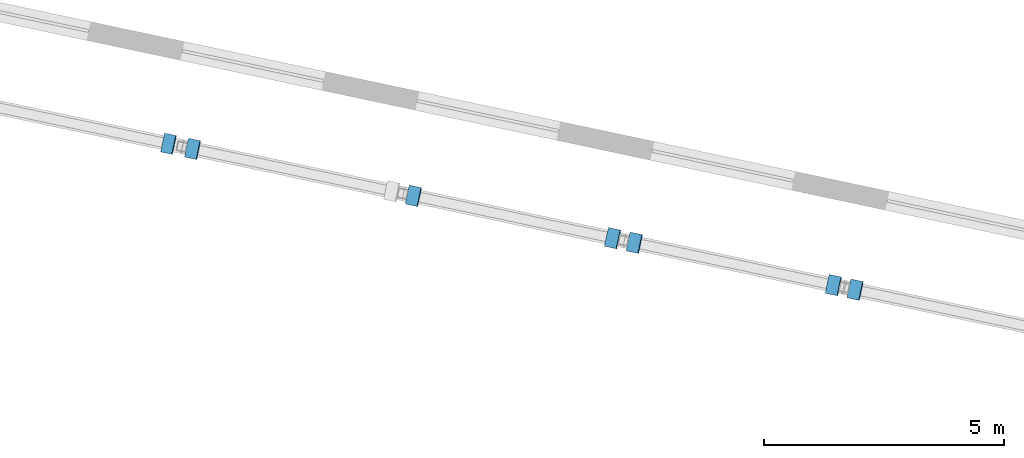
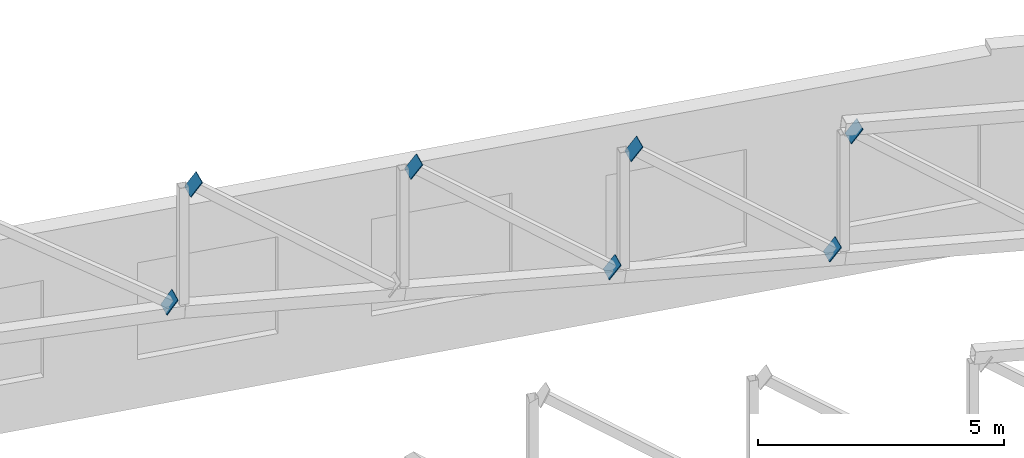
# One storey, part 164 of 182: 7 discrete accessories.
"""IFC4 building model written with IfcOpenShell, lengths in metres."""

import ifcopenshell
import ifcopenshell.guid

model = None  # the IFC model being written
_history = None  # IfcOwnerHistory: only IFC2X3 demands one
_inside = {}  # id of a spatial element -> (the spatial element, [elements in it])
_under = {}  # id of a project, library or spatial element -> (it, [spatial elements below it])
_declared = {}  # id of a project -> (the project, [libraries it declares])
_typed = {}  # id of a type object -> (the type object, [elements of that type])
_made_of = {}  # id of a material, layer set ... -> (it, [elements and type objects made of it])


def new_model(schema):
    """Start an empty IFC model of exactly this schema.

    Asked for "IFC4X3", IfcOpenShell would pick the latest addendum, in which some entities
    have other attributes; the version numbers below select the first issue.
    IFC2X3 requires an IfcOwnerHistory on every rooted entity: one is made here for all.
    """
    global model, _history
    if schema == "IFC4X3":
        model = ifcopenshell.file(schema_version=(4, 3, 0, 0))
    else:
        model = ifcopenshell.file(schema=schema)
    _inside.clear()
    _under.clear()
    _declared.clear()
    _typed.clear()
    _made_of.clear()
    _history = None
    if model.schema == "IFC2X3":
        org = make("IfcOrganization", Name="unknown")
        user = make(
            "IfcPersonAndOrganization",
            ThePerson=make("IfcPerson", FamilyName="unknown"),
            TheOrganization=org,
        )
        app = make(
            "IfcApplication",
            ApplicationDeveloper=org,
            Version="unknown",
            ApplicationFullName="unknown",
            ApplicationIdentifier="unknown",
        )
        _history = make(
            "IfcOwnerHistory",
            OwningUser=user,
            OwningApplication=app,
            ChangeAction="ADDED",
            CreationDate=0,
        )
    return model


def make(cls, **values):
    """One entity of the class cls with the attributes given. An attribute that is None is left unset."""
    return model.create_entity(
        cls, **{name: value for name, value in values.items() if value is not None}
    )


def rooted(cls, **values):
    """An entity with a GlobalId (a new one), such as an element, a storey or a relation."""
    return make(cls, GlobalId=ifcopenshell.guid.new(), OwnerHistory=_history, **values)


def si_unit(unit_type, name, prefix=None):
    """IfcSIUnit, for example si_unit("LENGTHUNIT", "METRE", prefix="MILLI")."""
    return make("IfcSIUnit", UnitType=unit_type, Prefix=prefix, Name=name)


def assignment(units):
    """IfcUnitAssignment: the units of a project."""
    return None if units is None else make("IfcUnitAssignment", Units=units)


def point(xyz):
    """IfcCartesianPoint."""
    return None if xyz is None else make("IfcCartesianPoint", Coordinates=xyz)


def direction(xyz):
    """IfcDirection."""
    return None if xyz is None else make("IfcDirection", DirectionRatios=xyz)


def frame(location, z_axis=None, x_axis=None):
    """IfcAxis2Placement3D, a coordinate frame: its origin and axes. An axis left out is left unset."""
    return make(
        "IfcAxis2Placement3D",
        Location=point(location),
        Axis=direction(z_axis),
        RefDirection=direction(x_axis),
    )


def frame_2d(location, x_axis=None):
    """IfcAxis2Placement2D, a coordinate frame in the plane: its origin and x axis."""
    return make(
        "IfcAxis2Placement2D", Location=point(location), RefDirection=direction(x_axis)
    )


def origin():
    """The frame at (0, 0, 0) with its axes left unset."""
    return frame((0.0, 0.0, 0.0))


def origin_2d():
    """The frame at (0, 0) in the plane with its x axis left unset."""
    return frame_2d((0.0, 0.0))


def place(relative_to, where):
    """IfcLocalPlacement: puts the frame where relative to a parent placement (None: the world)."""
    return make(
        "IfcLocalPlacement", PlacementRelTo=relative_to, RelativePlacement=where
    )


def context(
    kind, dimensions, precision=None, world=None, true_north=None, identifier=None
):
    """IfcGeometricRepresentationContext, for example the 3D "Model" context."""
    return make(
        "IfcGeometricRepresentationContext",
        ContextIdentifier=identifier,
        ContextType=kind,
        CoordinateSpaceDimension=dimensions,
        Precision=precision,
        WorldCoordinateSystem=world,
        TrueNorth=true_north,
    )


def subcontext(parent, identifier, kind, view, scale=None):
    """IfcGeometricRepresentationSubContext, for example "Body" below "Model"."""
    return make(
        "IfcGeometricRepresentationSubContext",
        ContextIdentifier=identifier,
        ContextType=kind,
        ParentContext=parent,
        TargetScale=scale,
        TargetView=view,
    )


def project(units=None, contexts=None):
    """IfcProject with its units and contexts."""
    return rooted(
        "IfcProject",
        Name="project",
        RepresentationContexts=contexts,
        UnitsInContext=assignment(units),
    )


def spatial(cls, under=None, at=None, **own):
    """A site, building, storey or space (cls), placed at a placement, below another one or the project."""
    s = rooted(cls, ObjectPlacement=at, **own)
    if under is not None:
        _under.setdefault(under.id(), (under, []))[1].append(s)
    return s


def profile(cls, at=None, kind="AREA", **sizes):
    """A parametric profile (cls). Its sizes go by their IFC names, for example OverallWidth=200.0."""
    return make(cls, ProfileType=kind, Position=at, **sizes)


def rectangle(**sizes):
    """IfcRectangleProfileDef."""
    return profile("IfcRectangleProfileDef", **sizes)


def extrude(swept, where, along, depth):
    """IfcExtrudedAreaSolid: the profile swept, set in the frame where, extruded along a direction by depth."""
    return make(
        "IfcExtrudedAreaSolid",
        SweptArea=swept,
        Position=where,
        ExtrudedDirection=direction(along),
        Depth=depth,
    )


def shape(context_of_items, identifier, shape_type, items):
    """IfcShapeRepresentation: the items that make up one representation, for example the "Body"."""
    return make(
        "IfcShapeRepresentation",
        ContextOfItems=context_of_items,
        RepresentationIdentifier=identifier,
        RepresentationType=shape_type,
        Items=items,
    )


def material(Name=None, Category=None):
    """IfcMaterial."""
    return make("IfcMaterial", Name=Name, Category=Category)


def layer(
    of_material, thickness, ventilated=None, Name=None, Category=None, Priority=None
):
    """IfcMaterialLayer: one layer of a wall or slab, of a material (None: an air gap)."""
    return make(
        "IfcMaterialLayer",
        Material=of_material,
        LayerThickness=thickness,
        IsVentilated=ventilated,
        Name=Name,
        Category=Category,
        Priority=Priority,
    )


def layer_set(layers, Name=None):
    """IfcMaterialLayerSet."""
    return make("IfcMaterialLayerSet", MaterialLayers=layers, LayerSetName=Name)


def made_of(thing, what):
    """Note that an element or type object is made of a material, layer set ...; save() writes the relation."""
    if what is not None:
        _made_of.setdefault(what.id(), (what, []))[1].append(thing)
    return thing


def type_object(cls, material=None, **own):
    """A type object (cls), such as IfcWallType, which elements share."""
    return made_of(rooted(cls, **own), material)


def element(
    cls,
    number,
    at=None,
    inside=None,
    cuts=None,
    type_object=None,
    material=None,
    context=None,
    identifier="Body",
    shape_type=None,
    held_by="IfcProductDefinitionShape",
    body=None,
    shapes=None,
    **own,
):
    """One element of the class cls, such as IfcWall. Its Tag is "e" and its number.

    at: its placement. inside: the storey or other place that contains it. cuts: it is an
    opening in that element (IfcRelVoidsElement). A single representation is given by context,
    identifier, shape_type and body (its items); several are given by shapes. held_by: the class
    of the entity that holds the representations. save() writes the other relations.
    """
    e = rooted(cls, Tag="e%d" % number, ObjectPlacement=at, **own)
    if body is not None:
        shapes = [shape(context, identifier, shape_type, body)]
    if shapes is not None:
        e.Representation = make(held_by, Representations=shapes)
    if inside is not None:
        _inside.setdefault(inside.id(), (inside, []))[1].append(e)
    if cuts is not None:
        rooted(
            "IfcRelVoidsElement", RelatingBuildingElement=cuts, RelatedOpeningElement=e
        )
    if type_object is not None:
        _typed.setdefault(type_object.id(), (type_object, []))[1].append(e)
    return made_of(e, material)


def aggregate(whole, parts):
    """IfcRelAggregates: a whole, such as a stair, and the parts it consists of."""
    return rooted("IfcRelAggregates", RelatingObject=whole, RelatedObjects=parts)


def save(model, path):
    """Write the relations noted so far, then the file.

    IfcRelAggregates (storeys below a building ...), IfcRelContainedInSpatialStructure (elements
    in a storey), IfcRelDefinesByType, IfcRelAssociatesMaterial and IfcRelDeclares: one each for
    every whole, place, type object, material and project.
    """
    for whole, parts in _under.values():
        aggregate(whole, parts)
    for where, things in _inside.values():
        rooted(
            "IfcRelContainedInSpatialStructure",
            RelatedElements=things,
            RelatingStructure=where,
        )
    for kind, things in _typed.values():
        rooted("IfcRelDefinesByType", RelatedObjects=things, RelatingType=kind)
    for what, things in _made_of.values():
        rooted("IfcRelAssociatesMaterial", RelatedObjects=things, RelatingMaterial=what)
    for by, libraries in _declared.values():
        rooted("IfcRelDeclares", RelatingContext=by, RelatedDefinitions=libraries)
    model.write(path)


model = new_model("IFC4")

# Units and contexts
model_context = context("Model", 3, precision=1e-05, world=origin(), true_north=direction((0.0, 1.0)))
body_context = subcontext(model_context, "Body", "Model", "MODEL_VIEW")
ifc_project = project(units=[si_unit("LENGTHUNIT", "METRE"), si_unit("AREAUNIT", "SQUARE_METRE"), si_unit("VOLUMEUNIT", "CUBIC_METRE"), si_unit("PLANEANGLEUNIT", "RADIAN"), si_unit("MASSUNIT", "GRAM", prefix="KILO")], contexts=[model_context])

# Site, building, storey
site_placement = place(None, origin())
site = spatial("IfcSite", under=ifc_project, at=site_placement, CompositionType="ELEMENT")
building_placement = place(site_placement, origin())
building = spatial("IfcBuilding", under=site, at=building_placement, Name="Okhra Congress Centre", CompositionType="ELEMENT")
storey_placement = place(building_placement, frame((0.0, 0.0, 7.199951171875)))
storey = spatial("IfcBuildingStorey", under=building, at=storey_placement, Name="L01", CompositionType="ELEMENT", Elevation=7.199951171875)

# Discrete accessories
ifc_material = material(Name="Steel S355J2", Category="steel")
ifc_layer = layer(ifc_material, 0.02001953125)
ifc_layer_set = layer_set([ifc_layer], Name="Brace end connection plate 20 mm S355")
discrete_accessory_type = type_object("IfcDiscreteAccessoryType", Name="Brace end connection plate 20 mm S355", PredefinedType="BRACKET", material=ifc_layer_set)
discrete_accessory_1_placement = place(storey_placement, frame((245.28076171875, 129.48828125, 3.77099609375), z_axis=(0.78696877165, -0.169500966202, -0.593253381705), x_axis=(0.210556075945, 0.977581781174, 0.0)))
element("IfcDiscreteAccessory", 1, at=discrete_accessory_1_placement, inside=storey, type_object=discrete_accessory_type, Name="Brace end connection plate", PredefinedType="BRACKET", context=body_context, shape_type="SweptSolid", body=[
    extrude(rectangle(XDim=0.39990234375, YDim=0.39990234375, at=origin_2d()), origin(), (0.0, 0.0, 1.0), 0.020263671875),
])
discrete_accessory_2_placement = place(storey_placement, frame((245.798095703125, 129.37841796875, 6.56640625), z_axis=(-0.767437154638, 0.158360047782, 0.621258648992), x_axis=(-0.202091528728, -0.97936663922, 0.0)))
element("IfcDiscreteAccessory", 2, at=discrete_accessory_2_placement, inside=storey, type_object=discrete_accessory_type, Name="Brace end connection plate", PredefinedType="BRACKET", context=body_context, shape_type="SweptSolid", body=[
    extrude(rectangle(XDim=0.39990234375, YDim=0.39990234375, at=origin_2d()), origin(), (0.0, 0.0, 1.0), 0.02001953125),
])
for number, where, z_axis, x_axis, name in (
    (3, (250.395263671875, 128.401123046875, 5.9892578125), (-0.762359109709, 0.159849490745, 0.627101848309), (-0.205214844297, -0.978716949726, 0.0), "Brace end connection plate"),
    (4, (254.525146484375, 127.5234375, 2.59619140625), (0.760807787608, -0.171795306879, -0.625825760774), (0.220260871435, 0.975441002068, 0.0), "Brace end connection plate"),
):
    element("IfcDiscreteAccessory", number, at=place(storey_placement, frame(where, z_axis=z_axis, x_axis=x_axis)), inside=storey, type_object=discrete_accessory_type, Name=name, PredefinedType="BRACKET", context=body_context, shape_type="SweptSolid", body=[
        extrude(rectangle(XDim=0.39990234375, YDim=0.39990234375, at=origin_2d()), origin(), (0.0, 0.0, 1.0), 0.019775390625),
    ])
for number, where, z_axis, x_axis, name in (
    (5, (254.99267578125, 127.424072265625, 5.412109375), (-0.761638720064, 0.15716354541, 0.62865418164), (-0.202091528728, -0.97936663922, 0.0), "Brace end connection plate"),
    (6, (259.122314453125, 126.546142578125, 2.019287109375), (0.761638720064, -0.15716354541, -0.62865418164), (0.202091528728, 0.97936663922, 0.0), "Brace end connection plate"),
):
    element("IfcDiscreteAccessory", number, at=place(storey_placement, frame(where, z_axis=z_axis, x_axis=x_axis)), inside=storey, type_object=discrete_accessory_type, Name=name, PredefinedType="BRACKET", context=body_context, shape_type="SweptSolid", body=[
        extrude(rectangle(XDim=0.39990234375, YDim=0.39990234375, at=origin_2d()), origin(), (0.0, 0.0, 1.0), 0.020263671875),
    ])
discrete_accessory_3_placement = place(storey_placement, frame((259.58984375, 126.44677734375, 4.835205078125), z_axis=(-0.762359109709, 0.159849490745, 0.627101848309), x_axis=(-0.205214844297, -0.978716949726, 0.0)))
element("IfcDiscreteAccessory", 7, at=discrete_accessory_3_placement, inside=storey, type_object=discrete_accessory_type, Name="Brace end connection plate", PredefinedType="BRACKET", context=body_context, shape_type="SweptSolid", body=[
    extrude(rectangle(XDim=0.39990234375, YDim=0.39990234375, at=origin_2d()), origin(), (0.0, 0.0, 1.0), 0.019775390625),
])

save(model, "model.ifc")
